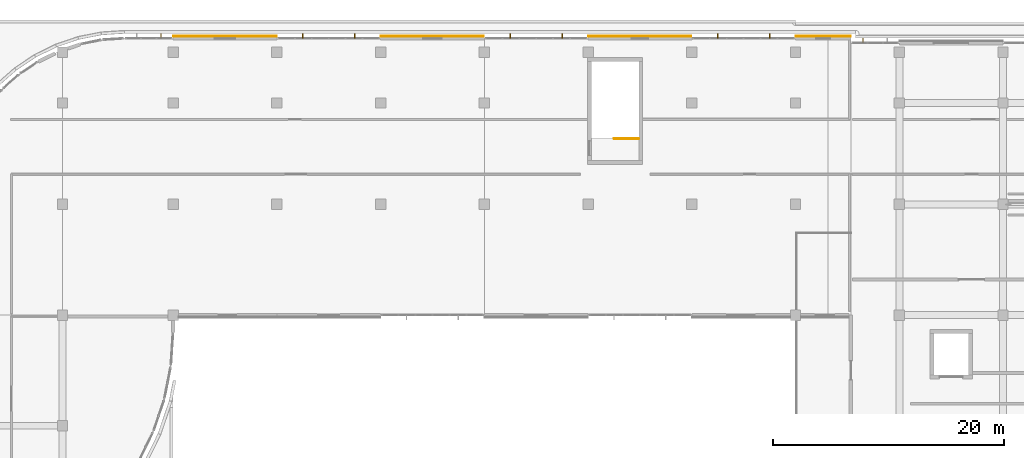
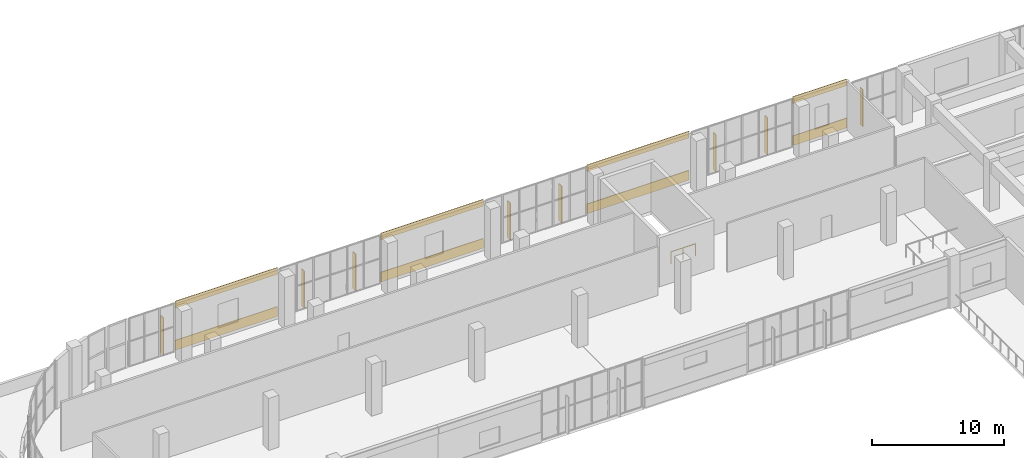
# One storey, part 91 of 96: 8 coverings, 8 shading devices, 1 railing.
"""IFC4 building model written with IfcOpenShell, lengths in metres."""

from ifc_helpers import new_model, si_unit, direction, frame, origin, origin_2d, place, context, subcontext, project, spatial, rectangle, circle, extrude, material, layer, layer_set, type_object, element, save


model = new_model("IFC4")

# Units and contexts
model_context = context("Model", 3, precision=1e-05, world=origin(), true_north=direction((0.0, 1.0)))
body_context = subcontext(model_context, "Body", "Model", "MODEL_VIEW")
ifc_project = project(units=[si_unit("LENGTHUNIT", "METRE"), si_unit("AREAUNIT", "SQUARE_METRE"), si_unit("VOLUMEUNIT", "CUBIC_METRE"), si_unit("PLANEANGLEUNIT", "RADIAN"), si_unit("MASSUNIT", "GRAM", prefix="KILO")], contexts=[model_context])

# Site, building, storey
site_placement = place(None, origin())
site = spatial("IfcSite", under=ifc_project, at=site_placement, CompositionType="ELEMENT")
building_placement = place(site_placement, origin())
building = spatial("IfcBuilding", under=site, at=building_placement, Name="Cendralis Terraced Arcade", CompositionType="ELEMENT")
storey_placement = place(building_placement, frame((0.0, 0.0, 10.199951171875)))
storey = spatial("IfcBuildingStorey", under=building, at=storey_placement, Name="L02", CompositionType="ELEMENT", Elevation=10.199951171875)

# Coverings
ifc_material_1 = material(Name="Precast concrete f'c 40 MPa", Category="concrete")
ifc_layer = layer(ifc_material_1, 0.06494140625, Name="COV-CLAD-GRC-65")
ifc_layer_set = layer_set([ifc_layer], Name="Precast concrete f'c 40 MPa")
covering_type = type_object("IfcCoveringType", Name="COV-CLAD-GRC-65", PredefinedType="CLADDING", material=ifc_layer_set)
covering_1_placement = place(storey_placement, frame((71.699951171875, 112.97998046875, 0.0), z_axis=(0.0, 0.0, 1.0), x_axis=(1.0, 0.0, 0.0)))
element("IfcCovering", 1, at=covering_1_placement, inside=storey, type_object=covering_type, Name="Banded Precast Stone Spandrel Cladding L02-267", PredefinedType="CLADDING", context=body_context, shape_type="SweptSolid", body=[
    extrude(rectangle(XDim=8.93994140625, YDim=0.06494140625, at=origin_2d()), origin(), (0.0, 0.0, 1.0), 0.89990234375),
])
covering_2_placement = place(storey_placement, frame((71.699951171875, 112.97998046875, 3.89501953125), z_axis=(0.0, 0.0, 1.0), x_axis=(1.0, 0.0, 0.0)))
element("IfcCovering", 2, at=covering_2_placement, inside=storey, type_object=covering_type, Name="Banded Precast Stone Lintel Cladding L02-268", PredefinedType="CLADDING", context=body_context, shape_type="SweptSolid", body=[
    extrude(rectangle(XDim=8.93994140625, YDim=0.06494140625, at=origin_2d()), origin(), (0.0, 0.0, 1.0), 0.60009765625),
])
covering_3_placement = place(storey_placement, frame((89.699951171875, 112.97998046875, 0.0), z_axis=(0.0, 0.0, 1.0), x_axis=(1.0, 0.0, 0.0)))
element("IfcCovering", 3, at=covering_3_placement, inside=storey, type_object=covering_type, Name="Banded Precast Stone Spandrel Cladding L02-269", PredefinedType="CLADDING", context=body_context, shape_type="SweptSolid", body=[
    extrude(rectangle(XDim=8.93994140625, YDim=0.06494140625, at=origin_2d()), origin(), (0.0, 0.0, 1.0), 0.89990234375),
])
covering_4_placement = place(storey_placement, frame((89.699951171875, 112.97998046875, 3.89501953125), z_axis=(0.0, 0.0, 1.0), x_axis=(1.0, 0.0, 0.0)))
element("IfcCovering", 4, at=covering_4_placement, inside=storey, type_object=covering_type, Name="Banded Precast Stone Lintel Cladding L02-270", PredefinedType="CLADDING", context=body_context, shape_type="SweptSolid", body=[
    extrude(rectangle(XDim=8.93994140625, YDim=0.06494140625, at=origin_2d()), origin(), (0.0, 0.0, 1.0), 0.60009765625),
])
covering_5_placement = place(storey_placement, frame((107.699951171875, 112.97998046875, 0.0), z_axis=(0.0, 0.0, 1.0), x_axis=(1.0, 0.0, 0.0)))
element("IfcCovering", 5, at=covering_5_placement, inside=storey, type_object=covering_type, Name="Banded Precast Stone Spandrel Cladding L02-271", PredefinedType="CLADDING", context=body_context, shape_type="SweptSolid", body=[
    extrude(rectangle(XDim=8.93994140625, YDim=0.06494140625, at=origin_2d()), origin(), (0.0, 0.0, 1.0), 0.89990234375),
])
covering_6_placement = place(storey_placement, frame((107.699951171875, 112.97998046875, 3.89501953125), z_axis=(0.0, 0.0, 1.0), x_axis=(1.0, 0.0, 0.0)))
element("IfcCovering", 6, at=covering_6_placement, inside=storey, type_object=covering_type, Name="Banded Precast Stone Lintel Cladding L02-272", PredefinedType="CLADDING", context=body_context, shape_type="SweptSolid", body=[
    extrude(rectangle(XDim=8.93994140625, YDim=0.06494140625, at=origin_2d()), origin(), (0.0, 0.0, 1.0), 0.60009765625),
])
covering_7_placement = place(storey_placement, frame((123.60009765625, 112.97998046875, 0.0), z_axis=(0.0, 0.0, 1.0), x_axis=(1.0, 0.0, 0.0)))
element("IfcCovering", 7, at=covering_7_placement, inside=storey, type_object=covering_type, Name="Banded Precast Stone Spandrel Cladding L02-273", PredefinedType="CLADDING", context=body_context, shape_type="SweptSolid", body=[
    extrude(rectangle(XDim=4.739990234375, YDim=0.06494140625, at=origin_2d()), origin(), (0.0, 0.0, 1.0), 0.89990234375),
])
covering_8_placement = place(storey_placement, frame((123.60009765625, 112.97998046875, 3.89501953125), z_axis=(0.0, 0.0, 1.0), x_axis=(1.0, 0.0, 0.0)))
element("IfcCovering", 8, at=covering_8_placement, inside=storey, type_object=covering_type, Name="Banded Precast Stone Lintel Cladding L02-274", PredefinedType="CLADDING", context=body_context, shape_type="SweptSolid", body=[
    extrude(rectangle(XDim=4.739990234375, YDim=0.06494140625, at=origin_2d()), origin(), (0.0, 0.0, 1.0), 0.60009765625),
])

# Railing
ifc_material_2 = material(Name="Brushed stainless steel AISI 316", Category="steel")
railing_type = type_object("IfcRailingType", Name="RL-STAIR-GUARD-1100", PredefinedType="GUARDRAIL", material=ifc_material_2)
railing_placement = place(storey_placement, frame((107.60009765625, 104.10009765625, 0.0)))
element("IfcRailing", 9, at=railing_placement, inside=storey, type_object=railing_type, Name="L02 ST-10 top well guard 1", PredefinedType="GUARDRAIL", context=body_context, shape_type="SweptSolid", body=[
    extrude(circle(Radius=0.02392578125, at=origin_2d()), frame((0.0, 0.0, 1.076171875), z_axis=(-1.0, 0.0, 0.0), x_axis=(0.0, -1.0, 0.0)), (0.0, 0.0, 1.0), 2.150146484375),
    extrude(circle(Radius=0.02099609375, at=origin_2d()), origin(), (0.0, 0.0, 1.0), 1.052001953125),
    extrude(circle(Radius=0.02099609375, at=origin_2d()), frame((-1.0751953125, 0.0, 0.0)), (0.0, 0.0, 1.0), 1.052001953125),
    extrude(circle(Radius=0.02099609375, at=origin_2d()), frame((-2.150146484375, 0.0, 0.0)), (0.0, 0.0, 1.0), 1.052001953125),
])

# Shading devices
ifc_material_3 = material(Name="Anodised aluminium EN AW-6063 T6", Category="aluminium")
shading_device_type = type_object("IfcShadingDeviceType", Name="SHD-FIN-420", PredefinedType="USERDEFINED", material=ifc_material_3)
for number, where, z_axis, x_axis, name in (
    (10, (66.14990234375, 113.014892578125, 0.050048828125), (0.0, 0.0, 1.0), (1.0, 0.0, 0.0), "Parametric Vertical Solar Fin FIN-L02-054"),
    (11, (78.449951171875, 113.014892578125, 0.050048828125), (0.0, 0.0, 1.0), (1.0, 0.0, 0.0), "Parametric Vertical Solar Fin FIN-L02-055"),
    (12, (82.949951171875, 113.014892578125, 0.050048828125), (0.0, 0.0, 1.0), (1.0, 0.0, 0.0), "Parametric Vertical Solar Fin FIN-L02-056"),
    (13, (96.449951171875, 113.014892578125, 0.050048828125), (0.0, 0.0, 1.0), (1.0, 0.0, 0.0), "Parametric Vertical Solar Fin FIN-L02-057"),
    (14, (100.949951171875, 113.014892578125, 0.050048828125), (0.0, 0.0, 1.0), (1.0, 0.0, 0.0), "Parametric Vertical Solar Fin FIN-L02-058"),
    (15, (114.449951171875, 113.014892578125, 0.050048828125), (0.0, 0.0, 1.0), (1.0, 0.0, 0.0), "Parametric Vertical Solar Fin FIN-L02-059"),
    (16, (118.949951171875, 113.014892578125, 0.050048828125), (0.0, 0.0, 1.0), (1.0, 0.0, 0.0), "Parametric Vertical Solar Fin FIN-L02-060"),
    (17, (127.050048828125, 112.614990234375, 0.050048828125), (0.0, 0.0, 1.0), (1.0, 0.0, 0.0), "Parametric Vertical Solar Fin FIN-L02-061"),
):
    element("IfcShadingDevice", number, at=place(storey_placement, frame(where, z_axis=z_axis, x_axis=x_axis)), inside=storey, type_object=shading_device_type, Name=name, ObjectType="FIN", PredefinedType="USERDEFINED", context=body_context, shape_type="SweptSolid", body=[
        extrude(rectangle(XDim=0.074951171875, YDim=0.419921875, at=origin_2d()), origin(), (0.0, 0.0, 1.0), 3.39990234375),
    ])

save(model, "model.ifc")
